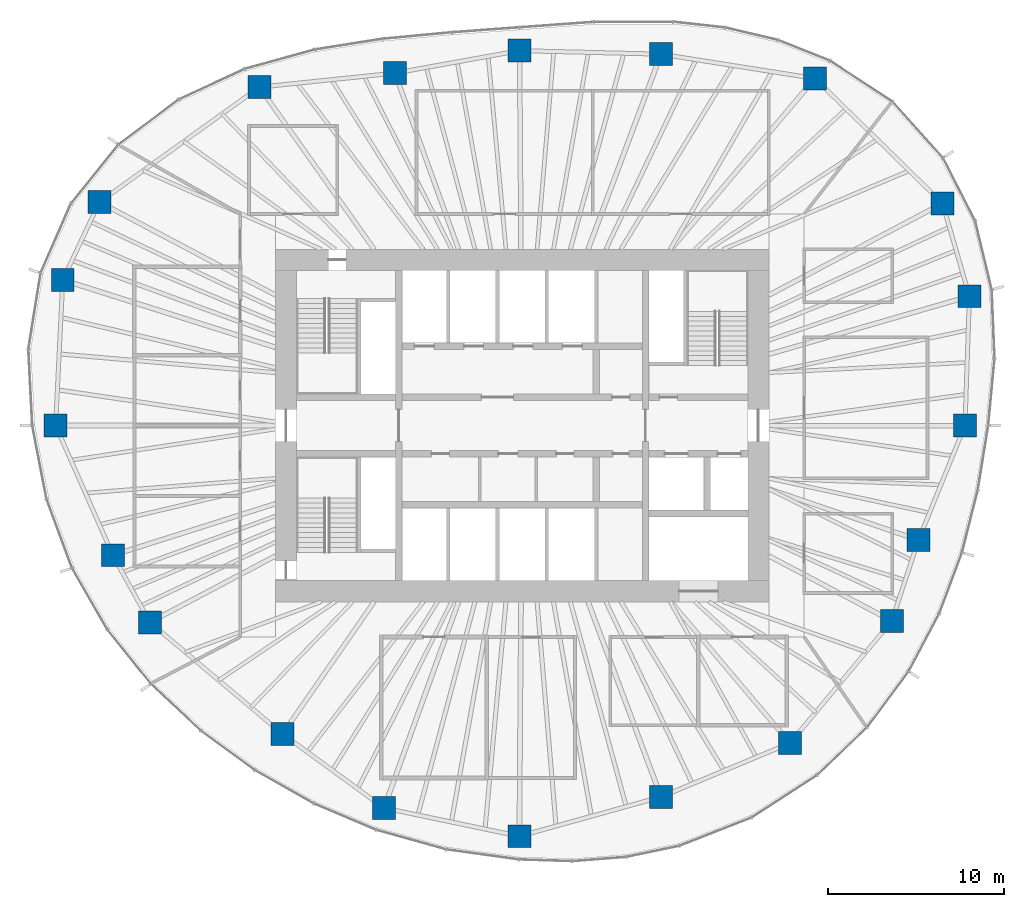
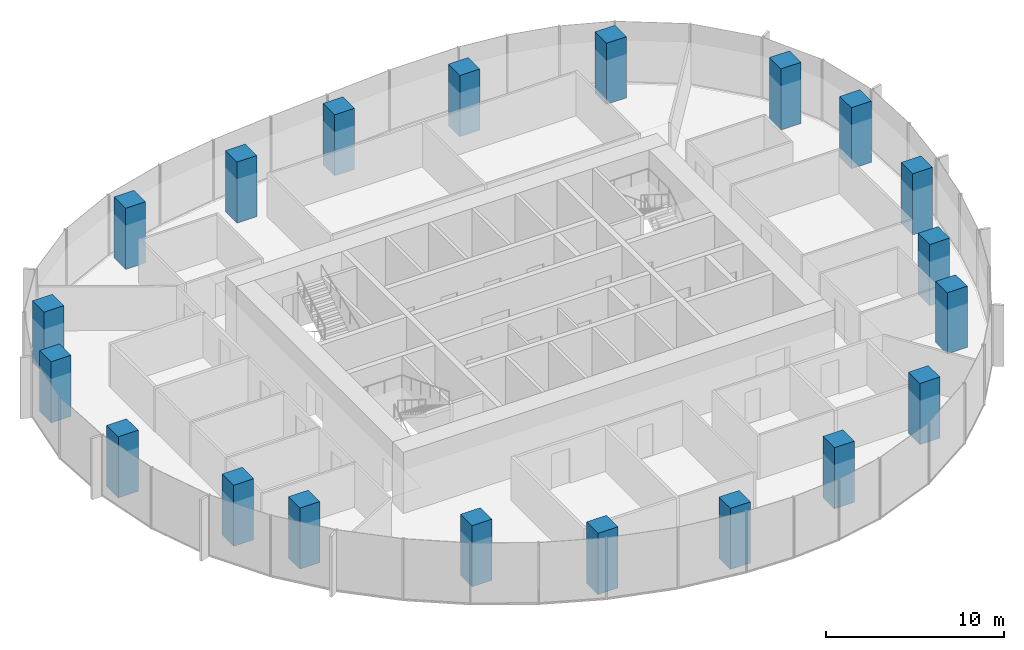
# One storey, part 1 of 12: 20 columns.
"""IFC4 building model written with IfcOpenShell, lengths in metres."""

from ifc_helpers import new_model, si_unit, direction, frame, origin, origin_2d, place, context, subcontext, project, spatial, rectangle, extrude, material, material_profile, profile_set, type_object, element, save


model = new_model("IFC4")

# Units and contexts
model_context = context("Model", 3, precision=1e-05, world=origin(), true_north=direction((0.0, 1.0)))
body_context = subcontext(model_context, "Body", "Model", "MODEL_VIEW")
ifc_project = project(units=[si_unit("LENGTHUNIT", "METRE"), si_unit("AREAUNIT", "SQUARE_METRE"), si_unit("VOLUMEUNIT", "CUBIC_METRE"), si_unit("PLANEANGLEUNIT", "RADIAN"), si_unit("MASSUNIT", "GRAM", prefix="KILO")], contexts=[model_context])

# Site, building, storey
site_placement = place(None, origin())
site = spatial("IfcSite", under=ifc_project, at=site_placement, CompositionType="ELEMENT")
building_placement = place(site_placement, origin())
building = spatial("IfcBuilding", under=site, at=building_placement, Name="Ghaith Harvest Tower", CompositionType="ELEMENT")
storey_placement = place(building_placement, frame((0.0, 0.0, 228.39990234375)))
storey = spatial("IfcBuildingStorey", under=building, at=storey_placement, Name="L50", CompositionType="ELEMENT", Elevation=228.39990234375)

# Columns
ifc_material = material(Name="Concrete C60/75", Category="concrete")
ifc_material_profile = material_profile(ifc_material, rectangle(XDim=1.300048828125, YDim=1.300048828125, at=origin_2d()), Name="RC1300X1300")
ifc_profile_set = profile_set([ifc_material_profile], Name="Concrete C60/75")
column_type = type_object("IfcColumnType", Name="TC5 RC1300X1300", PredefinedType="COLUMN", material=ifc_profile_set)
for number, where, z_axis, x_axis, name in (
    (1, (25.125, 0.0, 0.0), (0.0, 0.0, 1.0), (1.0, 0.0, 0.0), "Perimeter column C01"),
    (2, (25.3779296875, 7.3349609375, 0.0), (0.0, 0.0, 1.0), (1.0, 0.0, 0.0), "Perimeter column C02"),
    (3, (23.85205078125, 12.60693359375, 0.0), (0.0, 0.0, 1.0), (1.0, 0.0, 0.0), "Perimeter column C03"),
    (4, (16.60791015625, 19.695068359375, 0.0), (0.0, 0.0, 1.0), (1.0, 0.0, 0.0), "Perimeter column C04"),
    (5, (7.8779296875, 21.072021484375, 0.0), (0.0, 0.0, 1.0), (1.0, 0.0, 0.0), "Perimeter column C05"),
    (6, (-0.14599609375, 21.27099609375, 0.0), (0.0, 0.0, 1.0), (1.0, 0.0, 0.0), "Perimeter column C06"),
    (7, (-7.221923828125, 19.9970703125, 0.0), (0.0, 0.0, 1.0), (1.0, 0.0, 0.0), "Perimeter column C07"),
    (8, (-14.910888671875, 19.199951171875, 0.0), (0.0, 0.0, 1.0), (1.0, 0.0, 0.0), "Perimeter column C08"),
    (9, (-23.986083984375, 12.677978515625, 0.0), (0.0, 0.0, 1.0), (1.0, 0.0, 0.0), "Perimeter column C09"),
    (10, (-26.06689453125, 8.260986328125, 0.0), (0.0, 0.0, 1.0), (1.0, 0.0, 0.0), "Perimeter column C10"),
    (11, (-26.47509765625, 0.0, 0.0), (0.0, 0.0, 1.0), (1.0, 0.0, 0.0), "Perimeter column C11"),
    (12, (-23.22412109375, -7.360107421875, 0.0), (0.0, 0.0, 1.0), (1.0, 0.0, 0.0), "Perimeter column C12"),
    (13, (-21.125, -11.166015625, 0.0), (0.0, 0.0, 1.0), (1.0, 0.0, 0.0), "Perimeter column C13"),
    (14, (-13.594970703125, -17.5048828125, 0.0), (0.0, 0.0, 1.0), (1.0, 0.0, 0.0), "Perimeter column C14"),
    (15, (-7.837890625, -21.699951171875, 0.0), (0.0, 0.0, 1.0), (1.0, 0.0, 0.0), "Perimeter column C15"),
    (16, (-0.158935546875, -23.304931640625, 0.0), (0.0, 0.0, 1.0), (1.0, 0.0, 0.0), "Perimeter column C16"),
    (17, (7.8779296875, -21.072021484375, 0.0), (0.0, 0.0, 1.0), (1.0, 0.0, 0.0), "Perimeter column C17"),
    (18, (15.197998046875, -18.02294921875, 0.0), (0.0, 0.0, 1.0), (1.0, 0.0, 0.0), "Perimeter column C18"),
    (19, (20.97705078125, -11.087890625, 0.0), (0.0, 0.0, 1.0), (1.0, 0.0, 0.0), "Perimeter column C19"),
    (20, (22.485107421875, -6.4990234375, 0.0), (0.0, 0.0, 1.0), (1.0, 0.0, 0.0), "Perimeter column C20"),
):
    element("IfcColumn", number, at=place(storey_placement, frame(where, z_axis=z_axis, x_axis=x_axis)), inside=storey, type_object=column_type, Name=name, PredefinedType="COLUMN", context=body_context, shape_type="SweptSolid", body=[
        extrude(rectangle(XDim=1.300048828125, YDim=1.300048828125, at=origin_2d()), origin(), (0.0, 0.0, 1.0), 4.2001953125),
    ])

save(model, "model.ifc")
